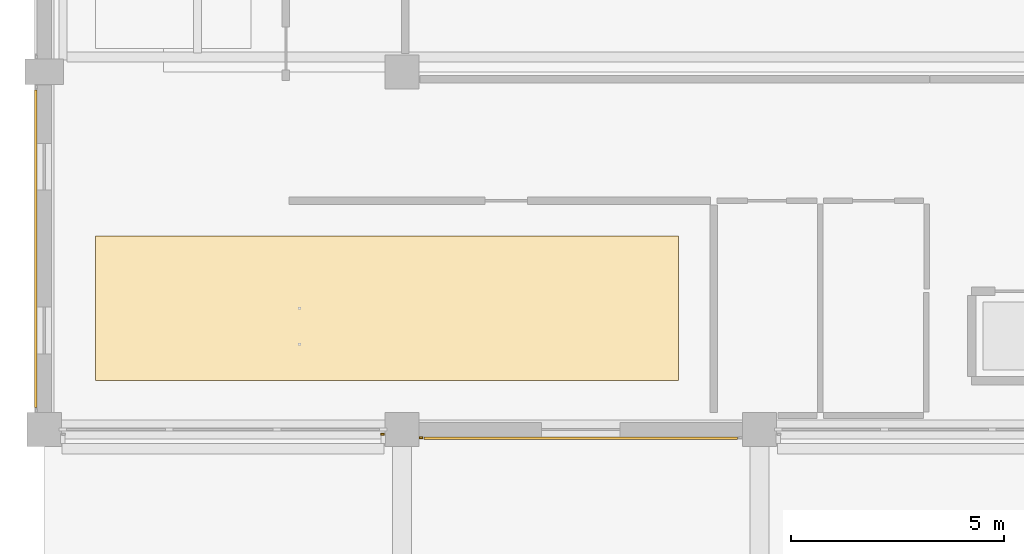
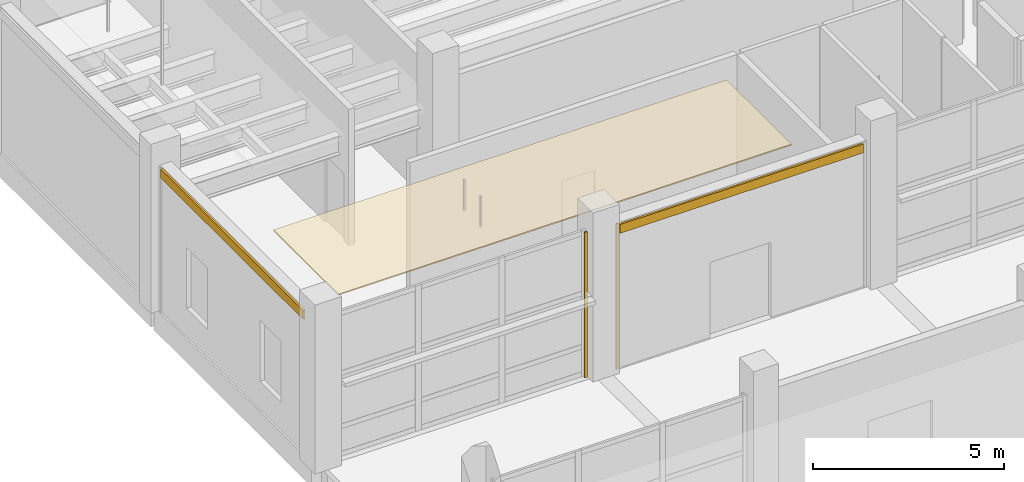
# One storey, part 125 of 140: 5 coverings.
"""IFC4 building model written with IfcOpenShell, lengths in metres."""

from ifc_helpers import new_model, si_unit, direction, frame, origin, origin_2d, place, context, subcontext, project, spatial, polyline, rectangle, outline, extrude, material, layer, layer_set, type_object, element, save


model = new_model("IFC4")

# Units and contexts
model_context = context("Model", 3, precision=1e-05, world=origin(), true_north=direction((0.0, 1.0)))
body_context = subcontext(model_context, "Body", "Model", "MODEL_VIEW")
ifc_project = project(units=[si_unit("LENGTHUNIT", "METRE"), si_unit("AREAUNIT", "SQUARE_METRE"), si_unit("VOLUMEUNIT", "CUBIC_METRE"), si_unit("PLANEANGLEUNIT", "RADIAN"), si_unit("MASSUNIT", "GRAM", prefix="KILO")], contexts=[model_context])

# Site, building, storey
site_placement = place(None, origin())
site = spatial("IfcSite", under=ifc_project, at=site_placement, CompositionType="ELEMENT")
building_placement = place(site_placement, origin())
building = spatial("IfcBuilding", under=site, at=building_placement, Name="Telukmera Botanical Conservatory", CompositionType="ELEMENT")
storey_placement = place(building_placement, origin())
storey = spatial("IfcBuildingStorey", under=building, at=storey_placement, Name="L00", CompositionType="ELEMENT", Elevation=0.0)

# Coverings
ifc_material_1 = material(Name="Perforated gypsum acoustic ceiling")
ifc_layer_1 = layer(ifc_material_1, 0.0400390625)
ifc_layer_set_1 = layer_set([ifc_layer_1], Name="Perforated gypsum acoustic ceiling")
covering_type_1 = type_object("IfcCoveringType", Name="COV-CEIL-40", PredefinedType="CEILING", material=ifc_layer_set_1)
covering_1_placement = place(storey_placement, frame((0.0, 0.0, 4.2099609375)))
element("IfcCovering", 1, at=covering_1_placement, inside=storey, type_object=covering_type_1, Name="L00 Auditorium Foyer Suspended Acoustic Ceiling", PredefinedType="CEILING", context=body_context, shape_type="SweptSolid", body=[
    extrude(outline(polyline([(9.60009765625, 84.35009765625), (23.300048828125, 84.35009765625), (23.300048828125, 87.75), (9.60009765625, 87.75), (9.60009765625, 84.35009765625)])), origin(), (0.0, 0.0, 1.0), 0.0400390625),
])
ifc_material_2 = material(Name="Granite-faced precast concrete C40/50", Category="masonry")
ifc_layer_2 = layer(ifc_material_2, 0.0400390625)
ifc_layer_set_2 = layer_set([ifc_layer_2], Name="Granite-faced precast concrete C40/50")
covering_type_2 = type_object("IfcCoveringType", Name="Granite Precast Column Pier Reveal Casing", PredefinedType="CLADDING", material=ifc_layer_set_2)
for number, where, z_axis, x_axis, name in (
    (2, (16.347900390625, 83.090087890625, 0.0), (0.0, 0.0, 1.0), (1.0, 0.0, 0.0), "Granite Pier Reveal V2:L00:S1 R"),
    (3, (17.251953125, 83.010009765625, 0.0), (0.0, 0.0, 1.0), (1.0, 0.0, 0.0), "Granite Pier Reveal V2:L00:S2 L"),
):
    element("IfcCovering", number, at=place(storey_placement, frame(where, z_axis=z_axis, x_axis=x_axis)), inside=storey, type_object=covering_type_2, Name=name, PredefinedType="CLADDING", context=body_context, shape_type="SweptSolid", body=[
        extrude(rectangle(XDim=0.080078125, YDim=0.0400390625, at=origin_2d()), origin(), (0.0, 0.0, 1.0), 4.64990234375),
    ])
ifc_material_3 = material(Name="Terracotta-faced precast concrete C40/50", Category="masonry")
ifc_layer_3 = layer(ifc_material_3, 0.06005859375)
ifc_layer_set_3 = layer_set([ifc_layer_3], Name="Terracotta-faced precast concrete C40/50")
covering_type_3 = type_object("IfcCoveringType", Name="Polychrome Terracotta Facade Band Cladding", PredefinedType="CLADDING", material=ifc_layer_set_3)
covering_2_placement = place(storey_placement, frame((21.0, 83.0, 4.330078125), z_axis=(0.0, 0.0, 1.0), x_axis=(1.0, 0.0, 0.0)))
element("IfcCovering", 4, at=covering_2_placement, inside=storey, type_object=covering_type_3, Name="Polychrome Terracotta Band V2:L00:S2", PredefinedType="CLADDING", context=body_context, shape_type="SweptSolid", body=[
    extrude(rectangle(XDim=7.35595703125, YDim=0.06005859375, at=origin_2d()), origin(), (0.0, 0.0, 1.0), 0.280029296875),
])
covering_3_placement = place(storey_placement, frame((8.199951171875, 87.449951171875, 4.330078125), z_axis=(0.0, 0.0, 1.0), x_axis=(0.0, 1.0, 0.0)))
element("IfcCovering", 5, at=covering_3_placement, inside=storey, type_object=covering_type_3, Name="Polychrome Terracotta Band V2:L00:W1", PredefinedType="CLADDING", context=body_context, shape_type="SweptSolid", body=[
    extrude(rectangle(XDim=7.4560546875, YDim=0.06005859375, at=origin_2d()), origin(), (0.0, 0.0, 1.0), 0.280029296875),
])

save(model, "model.ifc")
